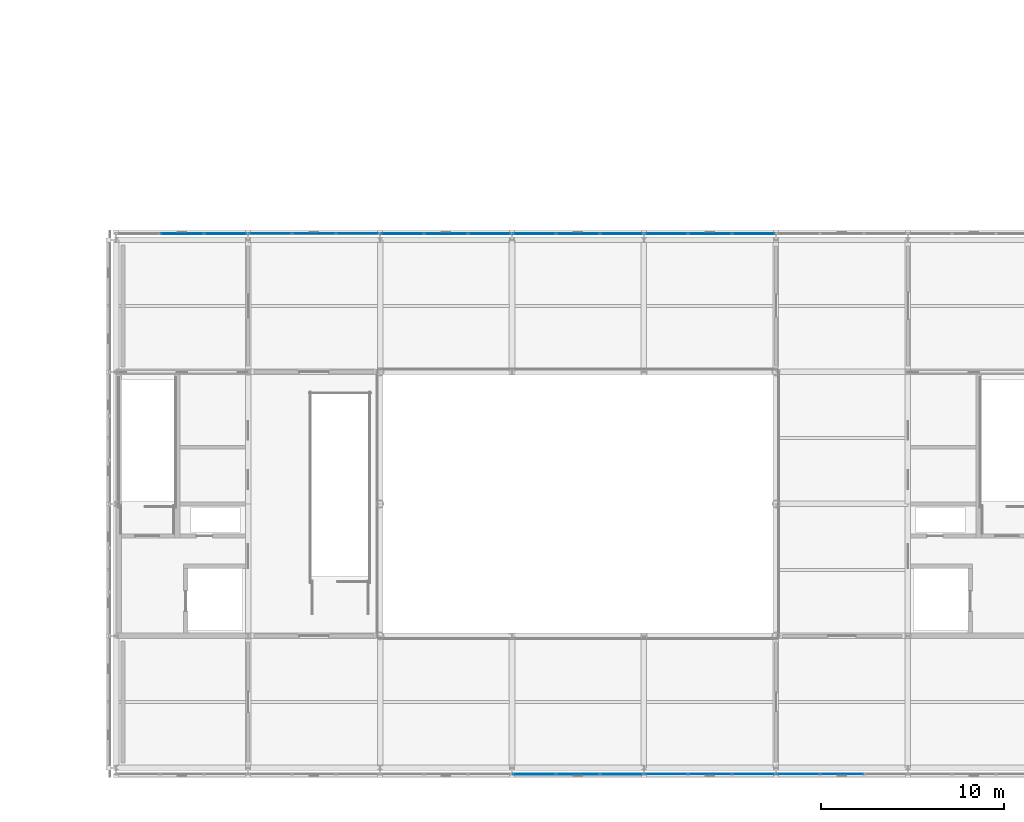
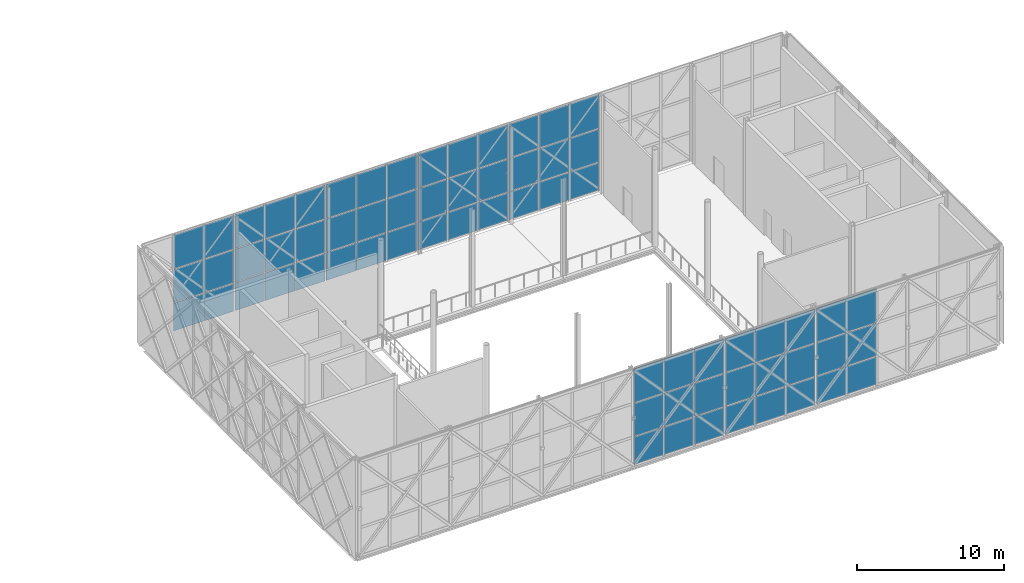
# One storey, part 54 of 76: 66 plates, 8 elements without a shape of their own.
"""IFC4 building model written with IfcOpenShell, lengths in metres."""

import ifcopenshell
import ifcopenshell.guid

model = None  # the IFC model being written
_history = None  # IfcOwnerHistory: only IFC2X3 demands one
_inside = {}  # id of a spatial element -> (the spatial element, [elements in it])
_under = {}  # id of a project, library or spatial element -> (it, [spatial elements below it])
_declared = {}  # id of a project -> (the project, [libraries it declares])
_typed = {}  # id of a type object -> (the type object, [elements of that type])
_made_of = {}  # id of a material, layer set ... -> (it, [elements and type objects made of it])


def new_model(schema):
    """Start an empty IFC model of exactly this schema.

    Asked for "IFC4X3", IfcOpenShell would pick the latest addendum, in which some entities
    have other attributes; the version numbers below select the first issue.
    IFC2X3 requires an IfcOwnerHistory on every rooted entity: one is made here for all.
    """
    global model, _history
    if schema == "IFC4X3":
        model = ifcopenshell.file(schema_version=(4, 3, 0, 0))
    else:
        model = ifcopenshell.file(schema=schema)
    _inside.clear()
    _under.clear()
    _declared.clear()
    _typed.clear()
    _made_of.clear()
    _history = None
    if model.schema == "IFC2X3":
        org = make("IfcOrganization", Name="unknown")
        user = make(
            "IfcPersonAndOrganization",
            ThePerson=make("IfcPerson", FamilyName="unknown"),
            TheOrganization=org,
        )
        app = make(
            "IfcApplication",
            ApplicationDeveloper=org,
            Version="unknown",
            ApplicationFullName="unknown",
            ApplicationIdentifier="unknown",
        )
        _history = make(
            "IfcOwnerHistory",
            OwningUser=user,
            OwningApplication=app,
            ChangeAction="ADDED",
            CreationDate=0,
        )
    return model


def make(cls, **values):
    """One entity of the class cls with the attributes given. An attribute that is None is left unset."""
    return model.create_entity(
        cls, **{name: value for name, value in values.items() if value is not None}
    )


def rooted(cls, **values):
    """An entity with a GlobalId (a new one), such as an element, a storey or a relation."""
    return make(cls, GlobalId=ifcopenshell.guid.new(), OwnerHistory=_history, **values)


def si_unit(unit_type, name, prefix=None):
    """IfcSIUnit, for example si_unit("LENGTHUNIT", "METRE", prefix="MILLI")."""
    return make("IfcSIUnit", UnitType=unit_type, Prefix=prefix, Name=name)


def assignment(units):
    """IfcUnitAssignment: the units of a project."""
    return None if units is None else make("IfcUnitAssignment", Units=units)


def point(xyz):
    """IfcCartesianPoint."""
    return None if xyz is None else make("IfcCartesianPoint", Coordinates=xyz)


def direction(xyz):
    """IfcDirection."""
    return None if xyz is None else make("IfcDirection", DirectionRatios=xyz)


def frame(location, z_axis=None, x_axis=None):
    """IfcAxis2Placement3D, a coordinate frame: its origin and axes. An axis left out is left unset."""
    return make(
        "IfcAxis2Placement3D",
        Location=point(location),
        Axis=direction(z_axis),
        RefDirection=direction(x_axis),
    )


def frame_2d(location, x_axis=None):
    """IfcAxis2Placement2D, a coordinate frame in the plane: its origin and x axis."""
    return make(
        "IfcAxis2Placement2D", Location=point(location), RefDirection=direction(x_axis)
    )


def origin():
    """The frame at (0, 0, 0) with its axes left unset."""
    return frame((0.0, 0.0, 0.0))


def origin_2d():
    """The frame at (0, 0) in the plane with its x axis left unset."""
    return frame_2d((0.0, 0.0))


def place(relative_to, where):
    """IfcLocalPlacement: puts the frame where relative to a parent placement (None: the world)."""
    return make(
        "IfcLocalPlacement", PlacementRelTo=relative_to, RelativePlacement=where
    )


def context(
    kind, dimensions, precision=None, world=None, true_north=None, identifier=None
):
    """IfcGeometricRepresentationContext, for example the 3D "Model" context."""
    return make(
        "IfcGeometricRepresentationContext",
        ContextIdentifier=identifier,
        ContextType=kind,
        CoordinateSpaceDimension=dimensions,
        Precision=precision,
        WorldCoordinateSystem=world,
        TrueNorth=true_north,
    )


def subcontext(parent, identifier, kind, view, scale=None):
    """IfcGeometricRepresentationSubContext, for example "Body" below "Model"."""
    return make(
        "IfcGeometricRepresentationSubContext",
        ContextIdentifier=identifier,
        ContextType=kind,
        ParentContext=parent,
        TargetScale=scale,
        TargetView=view,
    )


def project(units=None, contexts=None):
    """IfcProject with its units and contexts."""
    return rooted(
        "IfcProject",
        Name="project",
        RepresentationContexts=contexts,
        UnitsInContext=assignment(units),
    )


def spatial(cls, under=None, at=None, **own):
    """A site, building, storey or space (cls), placed at a placement, below another one or the project."""
    s = rooted(cls, ObjectPlacement=at, **own)
    if under is not None:
        _under.setdefault(under.id(), (under, []))[1].append(s)
    return s


def profile(cls, at=None, kind="AREA", **sizes):
    """A parametric profile (cls). Its sizes go by their IFC names, for example OverallWidth=200.0."""
    return make(cls, ProfileType=kind, Position=at, **sizes)


def rectangle(**sizes):
    """IfcRectangleProfileDef."""
    return profile("IfcRectangleProfileDef", **sizes)


def extrude(swept, where, along, depth):
    """IfcExtrudedAreaSolid: the profile swept, set in the frame where, extruded along a direction by depth."""
    return make(
        "IfcExtrudedAreaSolid",
        SweptArea=swept,
        Position=where,
        ExtrudedDirection=direction(along),
        Depth=depth,
    )


def shape(context_of_items, identifier, shape_type, items):
    """IfcShapeRepresentation: the items that make up one representation, for example the "Body"."""
    return make(
        "IfcShapeRepresentation",
        ContextOfItems=context_of_items,
        RepresentationIdentifier=identifier,
        RepresentationType=shape_type,
        Items=items,
    )


def material(Name=None, Category=None):
    """IfcMaterial."""
    return make("IfcMaterial", Name=Name, Category=Category)


def layer(
    of_material, thickness, ventilated=None, Name=None, Category=None, Priority=None
):
    """IfcMaterialLayer: one layer of a wall or slab, of a material (None: an air gap)."""
    return make(
        "IfcMaterialLayer",
        Material=of_material,
        LayerThickness=thickness,
        IsVentilated=ventilated,
        Name=Name,
        Category=Category,
        Priority=Priority,
    )


def layer_set(layers, Name=None):
    """IfcMaterialLayerSet."""
    return make("IfcMaterialLayerSet", MaterialLayers=layers, LayerSetName=Name)


def made_of(thing, what):
    """Note that an element or type object is made of a material, layer set ...; save() writes the relation."""
    if what is not None:
        _made_of.setdefault(what.id(), (what, []))[1].append(thing)
    return thing


def type_object(cls, material=None, **own):
    """A type object (cls), such as IfcWallType, which elements share."""
    return made_of(rooted(cls, **own), material)


def element(
    cls,
    number,
    at=None,
    inside=None,
    cuts=None,
    type_object=None,
    material=None,
    context=None,
    identifier="Body",
    shape_type=None,
    held_by="IfcProductDefinitionShape",
    body=None,
    shapes=None,
    **own,
):
    """One element of the class cls, such as IfcWall. Its Tag is "e" and its number.

    at: its placement. inside: the storey or other place that contains it. cuts: it is an
    opening in that element (IfcRelVoidsElement). A single representation is given by context,
    identifier, shape_type and body (its items); several are given by shapes. held_by: the class
    of the entity that holds the representations. save() writes the other relations.
    """
    e = rooted(cls, Tag="e%d" % number, ObjectPlacement=at, **own)
    if body is not None:
        shapes = [shape(context, identifier, shape_type, body)]
    if shapes is not None:
        e.Representation = make(held_by, Representations=shapes)
    if inside is not None:
        _inside.setdefault(inside.id(), (inside, []))[1].append(e)
    if cuts is not None:
        rooted(
            "IfcRelVoidsElement", RelatingBuildingElement=cuts, RelatedOpeningElement=e
        )
    if type_object is not None:
        _typed.setdefault(type_object.id(), (type_object, []))[1].append(e)
    return made_of(e, material)


def aggregate(whole, parts):
    """IfcRelAggregates: a whole, such as a stair, and the parts it consists of."""
    return rooted("IfcRelAggregates", RelatingObject=whole, RelatedObjects=parts)


def save(model, path):
    """Write the relations noted so far, then the file.

    IfcRelAggregates (storeys below a building ...), IfcRelContainedInSpatialStructure (elements
    in a storey), IfcRelDefinesByType, IfcRelAssociatesMaterial and IfcRelDeclares: one each for
    every whole, place, type object, material and project.
    """
    for whole, parts in _under.values():
        aggregate(whole, parts)
    for where, things in _inside.values():
        rooted(
            "IfcRelContainedInSpatialStructure",
            RelatedElements=things,
            RelatingStructure=where,
        )
    for kind, things in _typed.values():
        rooted("IfcRelDefinesByType", RelatedObjects=things, RelatingType=kind)
    for what, things in _made_of.values():
        rooted("IfcRelAssociatesMaterial", RelatedObjects=things, RelatingMaterial=what)
    for by, libraries in _declared.values():
        rooted("IfcRelDeclares", RelatingContext=by, RelatedDefinitions=libraries)
    model.write(path)


model = new_model("IFC4")

# Units and contexts
model_context = context("Model", 3, precision=1e-05, world=origin(), true_north=direction((0.0, 1.0)))
body_context = subcontext(model_context, "Body", "Model", "MODEL_VIEW")
ifc_project = project(units=[si_unit("LENGTHUNIT", "METRE"), si_unit("AREAUNIT", "SQUARE_METRE"), si_unit("VOLUMEUNIT", "CUBIC_METRE"), si_unit("PLANEANGLEUNIT", "RADIAN"), si_unit("MASSUNIT", "GRAM", prefix="KILO")], contexts=[model_context])

# Site, building, storey
site_placement = place(None, origin())
site = spatial("IfcSite", under=ifc_project, at=site_placement, CompositionType="ELEMENT")
building_placement = place(site_placement, origin())
building = spatial("IfcBuilding", under=site, at=building_placement, Name="Zlatovets Crest Museum", CompositionType="ELEMENT")
storey_placement = place(building_placement, frame((0.0, 0.0, 17.10009765625)))
storey = spatial("IfcBuildingStorey", under=building, at=storey_placement, Name="L04", CompositionType="ELEMENT", Elevation=17.10009765625)

# Curtain wall, plates
ifc_material_1 = material(Name="Bronze-anodised aluminium and low-E triple glass", Category="aluminium")
curtain_wall_type_1 = type_object("IfcCurtainWallType", Name="CW_CW-V2-L04-M0", PredefinedType="NOTDEFINED", material=ifc_material_1)
curtain_wall_1_placement = place(storey_placement, origin())
curtain_wall_1 = element("IfcCurtainWall", 1, at=curtain_wall_1_placement, inside=storey, type_object=curtain_wall_type_1, Name="V2 L04 Secession Foyer Clear Curtain Wall", PredefinedType="NOTDEFINED")
ifc_material_2 = material(Name="Solar-control low-E laminated triple glass", Category="glass")
ifc_layer_1 = layer(ifc_material_2, 0.028076171875)
ifc_layer_set_1 = layer_set([ifc_layer_1], Name="Solar-control low-E laminated triple glass")
plate_type_1 = type_object("IfcPlateType", Name="CWPanel_CW-V2-L04-M0", PredefinedType="CURTAIN_PANEL", material=ifc_layer_set_1)
plate_1_placement = place(storey_placement, frame((87.614990234375, -0.340087890625, 0.059814453125), z_axis=(0.0, 0.0, 1.0), x_axis=(1.0, 0.0, 0.0)))
plate_1 = element("IfcPlate", 2, at=plate_1_placement, type_object=plate_type_1, Name="CW-V2-L04-M0 panel 1.1", PredefinedType="CURTAIN_PANEL", context=body_context, shape_type="SweptSolid", body=[
    extrude(rectangle(XDim=2.31005859375, YDim=0.028076171875, at=origin_2d()), origin(), (0.0, 0.0, 1.0), 2.31005859375),
])
plate_2_placement = place(storey_placement, frame((87.614990234375, -0.340087890625, 2.4296875), z_axis=(0.0, 0.0, 1.0), x_axis=(1.0, 0.0, 0.0)))
plate_2 = element("IfcPlate", 3, at=plate_2_placement, type_object=plate_type_1, Name="CW-V2-L04-M0 panel 1.2", PredefinedType="CURTAIN_PANEL", context=body_context, shape_type="SweptSolid", body=[
    extrude(rectangle(XDim=2.31005859375, YDim=0.028076171875, at=origin_2d()), origin(), (0.0, 0.0, 1.0), 2.739990234375),
])
plate_3_placement = place(storey_placement, frame((87.614990234375, -0.340087890625, 5.22998046875), z_axis=(0.0, 0.0, 1.0), x_axis=(1.0, 0.0, 0.0)))
plate_3 = element("IfcPlate", 4, at=plate_3_placement, type_object=plate_type_1, Name="CW-V2-L04-M0 panel 1.3", PredefinedType="CURTAIN_PANEL", context=body_context, shape_type="SweptSolid", body=[
    extrude(rectangle(XDim=2.31005859375, YDim=0.028076171875, at=origin_2d()), origin(), (0.0, 0.0, 1.0), 2.81005859375),
])
plate_4_placement = place(storey_placement, frame((90.0, -0.340087890625, 0.059814453125), z_axis=(0.0, 0.0, 1.0), x_axis=(1.0, 0.0, 0.0)))
plate_4 = element("IfcPlate", 5, at=plate_4_placement, type_object=plate_type_1, Name="CW-V2-L04-M0 panel 2.1", PredefinedType="CURTAIN_PANEL", context=body_context, shape_type="SweptSolid", body=[
    extrude(rectangle(XDim=2.340087890625, YDim=0.028076171875, at=origin_2d()), origin(), (0.0, 0.0, 1.0), 2.31005859375),
])
plate_5_placement = place(storey_placement, frame((90.0, -0.340087890625, 2.4296875), z_axis=(0.0, 0.0, 1.0), x_axis=(1.0, 0.0, 0.0)))
plate_5 = element("IfcPlate", 6, at=plate_5_placement, type_object=plate_type_1, Name="CW-V2-L04-M0 panel 2.2", PredefinedType="CURTAIN_PANEL", context=body_context, shape_type="SweptSolid", body=[
    extrude(rectangle(XDim=2.340087890625, YDim=0.028076171875, at=origin_2d()), origin(), (0.0, 0.0, 1.0), 2.739990234375),
])
plate_6_placement = place(storey_placement, frame((90.0, -0.340087890625, 5.22998046875), z_axis=(0.0, 0.0, 1.0), x_axis=(1.0, 0.0, 0.0)))
plate_6 = element("IfcPlate", 7, at=plate_6_placement, type_object=plate_type_1, Name="CW-V2-L04-M0 panel 2.3", PredefinedType="CURTAIN_PANEL", context=body_context, shape_type="SweptSolid", body=[
    extrude(rectangle(XDim=2.340087890625, YDim=0.028076171875, at=origin_2d()), origin(), (0.0, 0.0, 1.0), 2.81005859375),
])
plate_7_placement = place(storey_placement, frame((92.385009765625, -0.340087890625, 0.059814453125), z_axis=(0.0, 0.0, 1.0), x_axis=(1.0, 0.0, 0.0)))
plate_7 = element("IfcPlate", 8, at=plate_7_placement, type_object=plate_type_1, Name="CW-V2-L04-M0 panel 3.1", PredefinedType="CURTAIN_PANEL", context=body_context, shape_type="SweptSolid", body=[
    extrude(rectangle(XDim=2.31005859375, YDim=0.028076171875, at=origin_2d()), origin(), (0.0, 0.0, 1.0), 2.31005859375),
])
plate_8_placement = place(storey_placement, frame((92.385009765625, -0.340087890625, 2.4296875), z_axis=(0.0, 0.0, 1.0), x_axis=(1.0, 0.0, 0.0)))
plate_8 = element("IfcPlate", 9, at=plate_8_placement, type_object=plate_type_1, Name="CW-V2-L04-M0 panel 3.2", PredefinedType="CURTAIN_PANEL", context=body_context, shape_type="SweptSolid", body=[
    extrude(rectangle(XDim=2.31005859375, YDim=0.028076171875, at=origin_2d()), origin(), (0.0, 0.0, 1.0), 2.739990234375),
])
plate_9_placement = place(storey_placement, frame((92.385009765625, -0.340087890625, 5.22998046875), z_axis=(0.0, 0.0, 1.0), x_axis=(1.0, 0.0, 0.0)))
plate_9 = element("IfcPlate", 10, at=plate_9_placement, type_object=plate_type_1, Name="CW-V2-L04-M0 panel 3.3", PredefinedType="CURTAIN_PANEL", context=body_context, shape_type="SweptSolid", body=[
    extrude(rectangle(XDim=2.31005859375, YDim=0.028076171875, at=origin_2d()), origin(), (0.0, 0.0, 1.0), 2.81005859375),
])
aggregate(curtain_wall_1, [plate_1, plate_2, plate_3, plate_4, plate_5, plate_6, plate_7, plate_8, plate_9])

curtain_wall_2_placement = place(storey_placement, origin())
curtain_wall_2 = element("IfcCurtainWall", 11, at=curtain_wall_2_placement, inside=storey, type_object=curtain_wall_type_1, Name="V2 L04 Secession Foyer Clear Curtain Wall", PredefinedType="NOTDEFINED")
plate_10_placement = place(storey_placement, frame((70.784912109375, 29.139892578125, 0.059814453125), z_axis=(0.0, 0.0, 1.0), x_axis=(-1.0, 0.0, 0.0)))
plate_10 = element("IfcPlate", 12, at=plate_10_placement, type_object=plate_type_1, Name="CW-V2-L04-M0 panel 1.1", PredefinedType="CURTAIN_PANEL", context=body_context, shape_type="SweptSolid", body=[
    extrude(rectangle(XDim=2.31005859375, YDim=0.028076171875, at=origin_2d()), origin(), (0.0, 0.0, 1.0), 2.31005859375),
])
plate_11_placement = place(storey_placement, frame((70.784912109375, 29.139892578125, 2.4296875), z_axis=(0.0, 0.0, 1.0), x_axis=(-1.0, 0.0, 0.0)))
plate_11 = element("IfcPlate", 13, at=plate_11_placement, type_object=plate_type_1, Name="CW-V2-L04-M0 panel 1.2", PredefinedType="CURTAIN_PANEL", context=body_context, shape_type="SweptSolid", body=[
    extrude(rectangle(XDim=2.31005859375, YDim=0.028076171875, at=origin_2d()), origin(), (0.0, 0.0, 1.0), 2.739990234375),
])
plate_12_placement = place(storey_placement, frame((70.784912109375, 29.139892578125, 5.22998046875), z_axis=(0.0, 0.0, 1.0), x_axis=(-1.0, 0.0, 0.0)))
plate_12 = element("IfcPlate", 14, at=plate_12_placement, type_object=plate_type_1, Name="CW-V2-L04-M0 panel 1.3", PredefinedType="CURTAIN_PANEL", context=body_context, shape_type="SweptSolid", body=[
    extrude(rectangle(XDim=2.31005859375, YDim=0.028076171875, at=origin_2d()), origin(), (0.0, 0.0, 1.0), 2.81005859375),
])
plate_13_placement = place(storey_placement, frame((68.39990234375, 29.139892578125, 0.059814453125), z_axis=(0.0, 0.0, 1.0), x_axis=(-1.0, 0.0, 0.0)))
plate_13 = element("IfcPlate", 15, at=plate_13_placement, type_object=plate_type_1, Name="CW-V2-L04-M0 panel 2.1", PredefinedType="CURTAIN_PANEL", context=body_context, shape_type="SweptSolid", body=[
    extrude(rectangle(XDim=2.340087890625, YDim=0.028076171875, at=origin_2d()), origin(), (0.0, 0.0, 1.0), 2.31005859375),
])
plate_14_placement = place(storey_placement, frame((68.39990234375, 29.139892578125, 2.4296875), z_axis=(0.0, 0.0, 1.0), x_axis=(-1.0, 0.0, 0.0)))
plate_14 = element("IfcPlate", 16, at=plate_14_placement, type_object=plate_type_1, Name="CW-V2-L04-M0 panel 2.2", PredefinedType="CURTAIN_PANEL", context=body_context, shape_type="SweptSolid", body=[
    extrude(rectangle(XDim=2.340087890625, YDim=0.028076171875, at=origin_2d()), origin(), (0.0, 0.0, 1.0), 2.739990234375),
])
plate_15_placement = place(storey_placement, frame((68.39990234375, 29.139892578125, 5.22998046875), z_axis=(0.0, 0.0, 1.0), x_axis=(-1.0, 0.0, 0.0)))
plate_15 = element("IfcPlate", 17, at=plate_15_placement, type_object=plate_type_1, Name="CW-V2-L04-M0 panel 2.3", PredefinedType="CURTAIN_PANEL", context=body_context, shape_type="SweptSolid", body=[
    extrude(rectangle(XDim=2.340087890625, YDim=0.028076171875, at=origin_2d()), origin(), (0.0, 0.0, 1.0), 2.81005859375),
])
plate_16_placement = place(storey_placement, frame((66.014892578125, 29.139892578125, 0.059814453125), z_axis=(0.0, 0.0, 1.0), x_axis=(-1.0, 0.0, 0.0)))
plate_16 = element("IfcPlate", 18, at=plate_16_placement, type_object=plate_type_1, Name="CW-V2-L04-M0 panel 3.1", PredefinedType="CURTAIN_PANEL", context=body_context, shape_type="SweptSolid", body=[
    extrude(rectangle(XDim=2.31005859375, YDim=0.028076171875, at=origin_2d()), origin(), (0.0, 0.0, 1.0), 2.31005859375),
])
plate_17_placement = place(storey_placement, frame((66.014892578125, 29.139892578125, 2.4296875), z_axis=(0.0, 0.0, 1.0), x_axis=(-1.0, 0.0, 0.0)))
plate_17 = element("IfcPlate", 19, at=plate_17_placement, type_object=plate_type_1, Name="CW-V2-L04-M0 panel 3.2", PredefinedType="CURTAIN_PANEL", context=body_context, shape_type="SweptSolid", body=[
    extrude(rectangle(XDim=2.31005859375, YDim=0.028076171875, at=origin_2d()), origin(), (0.0, 0.0, 1.0), 2.739990234375),
])
plate_18_placement = place(storey_placement, frame((66.014892578125, 29.139892578125, 5.22998046875), z_axis=(0.0, 0.0, 1.0), x_axis=(-1.0, 0.0, 0.0)))
plate_18 = element("IfcPlate", 20, at=plate_18_placement, type_object=plate_type_1, Name="CW-V2-L04-M0 panel 3.3", PredefinedType="CURTAIN_PANEL", context=body_context, shape_type="SweptSolid", body=[
    extrude(rectangle(XDim=2.31005859375, YDim=0.028076171875, at=origin_2d()), origin(), (0.0, 0.0, 1.0), 2.81005859375),
])
aggregate(curtain_wall_2, [plate_10, plate_11, plate_12, plate_13, plate_14, plate_15, plate_16, plate_17, plate_18])

curtain_wall_type_2 = type_object("IfcCurtainWallType", Name="CW_CW-V2-L04-M1", PredefinedType="NOTDEFINED", material=ifc_material_1)
curtain_wall_3_placement = place(storey_placement, origin())
curtain_wall_3 = element("IfcCurtainWall", 21, at=curtain_wall_3_placement, inside=storey, type_object=curtain_wall_type_2, Name="V2 L04 Secession Foyer Clear Curtain Wall", PredefinedType="NOTDEFINED")
ifc_layer_2 = layer(ifc_material_2, 0.031982421875)
ifc_layer_set_2 = layer_set([ifc_layer_2], Name="Solar-control low-E laminated triple glass")
plate_type_2 = type_object("IfcPlateType", Name="CWPanel_CW-V2-L04-M1", PredefinedType="CURTAIN_PANEL", material=ifc_layer_set_2)
plate_19_placement = place(storey_placement, frame((94.81494140625, -0.340087890625, 0.059814453125), z_axis=(0.0, 0.0, 1.0), x_axis=(1.0, 0.0, 0.0)))
plate_19 = element("IfcPlate", 22, at=plate_19_placement, type_object=plate_type_2, Name="CW-V2-L04-M1 panel 1.1", PredefinedType="CURTAIN_PANEL", context=body_context, shape_type="SweptSolid", body=[
    extrude(rectangle(XDim=2.31005859375, YDim=0.031982421875, at=origin_2d()), origin(), (0.0, 0.0, 1.0), 2.31005859375),
])
plate_20_placement = place(storey_placement, frame((94.81494140625, -0.340087890625, 2.4296875), z_axis=(0.0, 0.0, 1.0), x_axis=(1.0, 0.0, 0.0)))
plate_20 = element("IfcPlate", 23, at=plate_20_placement, type_object=plate_type_2, Name="CW-V2-L04-M1 panel 1.2", PredefinedType="CURTAIN_PANEL", context=body_context, shape_type="SweptSolid", body=[
    extrude(rectangle(XDim=2.31005859375, YDim=0.031982421875, at=origin_2d()), origin(), (0.0, 0.0, 1.0), 2.739990234375),
])
plate_21_placement = place(storey_placement, frame((94.81494140625, -0.340087890625, 5.22998046875), z_axis=(0.0, 0.0, 1.0), x_axis=(1.0, 0.0, 0.0)))
plate_21 = element("IfcPlate", 24, at=plate_21_placement, type_object=plate_type_2, Name="CW-V2-L04-M1 panel 1.3", PredefinedType="CURTAIN_PANEL", context=body_context, shape_type="SweptSolid", body=[
    extrude(rectangle(XDim=2.31005859375, YDim=0.031982421875, at=origin_2d()), origin(), (0.0, 0.0, 1.0), 2.81005859375),
])
plate_22_placement = place(storey_placement, frame((97.199951171875, -0.340087890625, 0.059814453125), z_axis=(0.0, 0.0, 1.0), x_axis=(1.0, 0.0, 0.0)))
plate_22 = element("IfcPlate", 25, at=plate_22_placement, type_object=plate_type_2, Name="CW-V2-L04-M1 panel 2.1", PredefinedType="CURTAIN_PANEL", context=body_context, shape_type="SweptSolid", body=[
    extrude(rectangle(XDim=2.340087890625, YDim=0.031982421875, at=origin_2d()), origin(), (0.0, 0.0, 1.0), 2.31005859375),
])
plate_23_placement = place(storey_placement, frame((97.199951171875, -0.340087890625, 2.4296875), z_axis=(0.0, 0.0, 1.0), x_axis=(1.0, 0.0, 0.0)))
plate_23 = element("IfcPlate", 26, at=plate_23_placement, type_object=plate_type_2, Name="CW-V2-L04-M1 panel 2.2", PredefinedType="CURTAIN_PANEL", context=body_context, shape_type="SweptSolid", body=[
    extrude(rectangle(XDim=2.340087890625, YDim=0.031982421875, at=origin_2d()), origin(), (0.0, 0.0, 1.0), 2.739990234375),
])
plate_24_placement = place(storey_placement, frame((97.199951171875, -0.340087890625, 5.22998046875), z_axis=(0.0, 0.0, 1.0), x_axis=(1.0, 0.0, 0.0)))
plate_24 = element("IfcPlate", 27, at=plate_24_placement, type_object=plate_type_2, Name="CW-V2-L04-M1 panel 2.3", PredefinedType="CURTAIN_PANEL", context=body_context, shape_type="SweptSolid", body=[
    extrude(rectangle(XDim=2.340087890625, YDim=0.031982421875, at=origin_2d()), origin(), (0.0, 0.0, 1.0), 2.81005859375),
])
aggregate(curtain_wall_3, [plate_19, plate_20, plate_21, plate_22, plate_23, plate_24])

curtain_wall_4_placement = place(storey_placement, origin())
curtain_wall_4 = element("IfcCurtainWall", 28, at=curtain_wall_4_placement, inside=storey, type_object=curtain_wall_type_2, Name="V2 L04 Secession Foyer Clear Curtain Wall", PredefinedType="NOTDEFINED")
plate_25_placement = place(storey_placement, frame((92.385009765625, 29.139892578125, 0.059814453125), z_axis=(0.0, 0.0, 1.0), x_axis=(-1.0, 0.0, 0.0)))
plate_25 = element("IfcPlate", 29, at=plate_25_placement, type_object=plate_type_2, Name="CW-V2-L04-M1 panel 1.1", PredefinedType="CURTAIN_PANEL", context=body_context, shape_type="SweptSolid", body=[
    extrude(rectangle(XDim=2.31005859375, YDim=0.031982421875, at=origin_2d()), origin(), (0.0, 0.0, 1.0), 2.31005859375),
])
plate_26_placement = place(storey_placement, frame((92.385009765625, 29.139892578125, 2.4296875), z_axis=(0.0, 0.0, 1.0), x_axis=(-1.0, 0.0, 0.0)))
plate_26 = element("IfcPlate", 30, at=plate_26_placement, type_object=plate_type_2, Name="CW-V2-L04-M1 panel 1.2", PredefinedType="CURTAIN_PANEL", context=body_context, shape_type="SweptSolid", body=[
    extrude(rectangle(XDim=2.31005859375, YDim=0.031982421875, at=origin_2d()), origin(), (0.0, 0.0, 1.0), 2.739990234375),
])
plate_27_placement = place(storey_placement, frame((92.385009765625, 29.139892578125, 5.22998046875), z_axis=(0.0, 0.0, 1.0), x_axis=(-1.0, 0.0, 0.0)))
plate_27 = element("IfcPlate", 31, at=plate_27_placement, type_object=plate_type_2, Name="CW-V2-L04-M1 panel 1.3", PredefinedType="CURTAIN_PANEL", context=body_context, shape_type="SweptSolid", body=[
    extrude(rectangle(XDim=2.31005859375, YDim=0.031982421875, at=origin_2d()), origin(), (0.0, 0.0, 1.0), 2.81005859375),
])
plate_28_placement = place(storey_placement, frame((90.0, 29.139892578125, 0.059814453125), z_axis=(0.0, 0.0, 1.0), x_axis=(-1.0, 0.0, 0.0)))
plate_28 = element("IfcPlate", 32, at=plate_28_placement, type_object=plate_type_2, Name="CW-V2-L04-M1 panel 2.1", PredefinedType="CURTAIN_PANEL", context=body_context, shape_type="SweptSolid", body=[
    extrude(rectangle(XDim=2.340087890625, YDim=0.031982421875, at=origin_2d()), origin(), (0.0, 0.0, 1.0), 2.31005859375),
])
plate_29_placement = place(storey_placement, frame((90.0, 29.139892578125, 2.4296875), z_axis=(0.0, 0.0, 1.0), x_axis=(-1.0, 0.0, 0.0)))
plate_29 = element("IfcPlate", 33, at=plate_29_placement, type_object=plate_type_2, Name="CW-V2-L04-M1 panel 2.2", PredefinedType="CURTAIN_PANEL", context=body_context, shape_type="SweptSolid", body=[
    extrude(rectangle(XDim=2.340087890625, YDim=0.031982421875, at=origin_2d()), origin(), (0.0, 0.0, 1.0), 2.739990234375),
])
plate_30_placement = place(storey_placement, frame((90.0, 29.139892578125, 5.22998046875), z_axis=(0.0, 0.0, 1.0), x_axis=(-1.0, 0.0, 0.0)))
plate_30 = element("IfcPlate", 34, at=plate_30_placement, type_object=plate_type_2, Name="CW-V2-L04-M1 panel 2.3", PredefinedType="CURTAIN_PANEL", context=body_context, shape_type="SweptSolid", body=[
    extrude(rectangle(XDim=2.340087890625, YDim=0.031982421875, at=origin_2d()), origin(), (0.0, 0.0, 1.0), 2.81005859375),
])
plate_31_placement = place(storey_placement, frame((87.614990234375, 29.139892578125, 0.059814453125), z_axis=(0.0, 0.0, 1.0), x_axis=(-1.0, 0.0, 0.0)))
plate_31 = element("IfcPlate", 35, at=plate_31_placement, type_object=plate_type_2, Name="CW-V2-L04-M1 panel 3.1", PredefinedType="CURTAIN_PANEL", context=body_context, shape_type="SweptSolid", body=[
    extrude(rectangle(XDim=2.31005859375, YDim=0.031982421875, at=origin_2d()), origin(), (0.0, 0.0, 1.0), 2.31005859375),
])
plate_32_placement = place(storey_placement, frame((87.614990234375, 29.139892578125, 2.4296875), z_axis=(0.0, 0.0, 1.0), x_axis=(-1.0, 0.0, 0.0)))
plate_32 = element("IfcPlate", 36, at=plate_32_placement, type_object=plate_type_2, Name="CW-V2-L04-M1 panel 3.2", PredefinedType="CURTAIN_PANEL", context=body_context, shape_type="SweptSolid", body=[
    extrude(rectangle(XDim=2.31005859375, YDim=0.031982421875, at=origin_2d()), origin(), (0.0, 0.0, 1.0), 2.739990234375),
])
plate_33_placement = place(storey_placement, frame((87.614990234375, 29.139892578125, 5.22998046875), z_axis=(0.0, 0.0, 1.0), x_axis=(-1.0, 0.0, 0.0)))
plate_33 = element("IfcPlate", 37, at=plate_33_placement, type_object=plate_type_2, Name="CW-V2-L04-M1 panel 3.3", PredefinedType="CURTAIN_PANEL", context=body_context, shape_type="SweptSolid", body=[
    extrude(rectangle(XDim=2.31005859375, YDim=0.031982421875, at=origin_2d()), origin(), (0.0, 0.0, 1.0), 2.81005859375),
])
aggregate(curtain_wall_4, [plate_25, plate_26, plate_27, plate_28, plate_29, plate_30, plate_31, plate_32, plate_33])

curtain_wall_5_placement = place(storey_placement, origin())
curtain_wall_5 = element("IfcCurtainWall", 38, at=curtain_wall_5_placement, inside=storey, type_object=curtain_wall_type_2, Name="V2 L04 Secession Foyer Clear Curtain Wall", PredefinedType="NOTDEFINED")
plate_34_placement = place(storey_placement, frame((63.5849609375, 29.139892578125, 0.059814453125), z_axis=(0.0, 0.0, 1.0), x_axis=(-1.0, 0.0, 0.0)))
plate_34 = element("IfcPlate", 39, at=plate_34_placement, type_object=plate_type_2, Name="CW-V2-L04-M1 panel 1.1", PredefinedType="CURTAIN_PANEL", context=body_context, shape_type="SweptSolid", body=[
    extrude(rectangle(XDim=2.31005859375, YDim=0.031982421875, at=origin_2d()), origin(), (0.0, 0.0, 1.0), 2.31005859375),
])
plate_35_placement = place(storey_placement, frame((63.5849609375, 29.139892578125, 2.4296875), z_axis=(0.0, 0.0, 1.0), x_axis=(-1.0, 0.0, 0.0)))
plate_35 = element("IfcPlate", 40, at=plate_35_placement, type_object=plate_type_2, Name="CW-V2-L04-M1 panel 1.2", PredefinedType="CURTAIN_PANEL", context=body_context, shape_type="SweptSolid", body=[
    extrude(rectangle(XDim=2.31005859375, YDim=0.031982421875, at=origin_2d()), origin(), (0.0, 0.0, 1.0), 2.739990234375),
])
plate_36_placement = place(storey_placement, frame((63.5849609375, 29.139892578125, 5.22998046875), z_axis=(0.0, 0.0, 1.0), x_axis=(-1.0, 0.0, 0.0)))
plate_36 = element("IfcPlate", 41, at=plate_36_placement, type_object=plate_type_2, Name="CW-V2-L04-M1 panel 1.3", PredefinedType="CURTAIN_PANEL", context=body_context, shape_type="SweptSolid", body=[
    extrude(rectangle(XDim=2.31005859375, YDim=0.031982421875, at=origin_2d()), origin(), (0.0, 0.0, 1.0), 2.81005859375),
])
plate_37_placement = place(storey_placement, frame((61.199951171875, 29.139892578125, 0.059814453125), z_axis=(0.0, 0.0, 1.0), x_axis=(-1.0, 0.0, 0.0)))
plate_37 = element("IfcPlate", 42, at=plate_37_placement, type_object=plate_type_2, Name="CW-V2-L04-M1 panel 2.1", PredefinedType="CURTAIN_PANEL", context=body_context, shape_type="SweptSolid", body=[
    extrude(rectangle(XDim=2.340087890625, YDim=0.031982421875, at=origin_2d()), origin(), (0.0, 0.0, 1.0), 2.31005859375),
])
plate_38_placement = place(storey_placement, frame((61.199951171875, 29.139892578125, 2.4296875), z_axis=(0.0, 0.0, 1.0), x_axis=(-1.0, 0.0, 0.0)))
plate_38 = element("IfcPlate", 43, at=plate_38_placement, type_object=plate_type_2, Name="CW-V2-L04-M1 panel 2.2", PredefinedType="CURTAIN_PANEL", context=body_context, shape_type="SweptSolid", body=[
    extrude(rectangle(XDim=2.340087890625, YDim=0.031982421875, at=origin_2d()), origin(), (0.0, 0.0, 1.0), 2.739990234375),
])
plate_39_placement = place(storey_placement, frame((61.199951171875, 29.139892578125, 5.22998046875), z_axis=(0.0, 0.0, 1.0), x_axis=(-1.0, 0.0, 0.0)))
plate_39 = element("IfcPlate", 44, at=plate_39_placement, type_object=plate_type_2, Name="CW-V2-L04-M1 panel 2.3", PredefinedType="CURTAIN_PANEL", context=body_context, shape_type="SweptSolid", body=[
    extrude(rectangle(XDim=2.340087890625, YDim=0.031982421875, at=origin_2d()), origin(), (0.0, 0.0, 1.0), 2.81005859375),
])
aggregate(curtain_wall_5, [plate_34, plate_35, plate_36, plate_37, plate_38, plate_39])

curtain_wall_type_3 = type_object("IfcCurtainWallType", Name="CW_CW-V2-L04-M2", PredefinedType="NOTDEFINED", material=ifc_material_1)
curtain_wall_6_placement = place(storey_placement, origin())
curtain_wall_6 = element("IfcCurtainWall", 45, at=curtain_wall_6_placement, inside=storey, type_object=curtain_wall_type_3, Name="V2 L04 Secession Foyer Clear Curtain Wall", PredefinedType="NOTDEFINED")
ifc_layer_3 = layer(ifc_material_2, 0.035888671875)
ifc_layer_set_3 = layer_set([ifc_layer_3], Name="Solar-control low-E laminated triple glass")
plate_type_3 = type_object("IfcPlateType", Name="CWPanel_CW-V2-L04-M2", PredefinedType="CURTAIN_PANEL", material=ifc_layer_set_3)
plate_40_placement = place(storey_placement, frame((85.18505859375, 29.139892578125, 0.059814453125), z_axis=(0.0, 0.0, 1.0), x_axis=(-1.0, 0.0, 0.0)))
plate_40 = element("IfcPlate", 46, at=plate_40_placement, type_object=plate_type_3, Name="CW-V2-L04-M2 panel 1.1", PredefinedType="CURTAIN_PANEL", context=body_context, shape_type="SweptSolid", body=[
    extrude(rectangle(XDim=2.31005859375, YDim=0.035888671875, at=origin_2d()), origin(), (0.0, 0.0, 1.0), 2.31005859375),
])
plate_41_placement = place(storey_placement, frame((85.18505859375, 29.139892578125, 2.4296875), z_axis=(0.0, 0.0, 1.0), x_axis=(-1.0, 0.0, 0.0)))
plate_41 = element("IfcPlate", 47, at=plate_41_placement, type_object=plate_type_3, Name="CW-V2-L04-M2 panel 1.2", PredefinedType="CURTAIN_PANEL", context=body_context, shape_type="SweptSolid", body=[
    extrude(rectangle(XDim=2.31005859375, YDim=0.035888671875, at=origin_2d()), origin(), (0.0, 0.0, 1.0), 2.739990234375),
])
plate_42_placement = place(storey_placement, frame((85.18505859375, 29.139892578125, 5.22998046875), z_axis=(0.0, 0.0, 1.0), x_axis=(-1.0, 0.0, 0.0)))
plate_42 = element("IfcPlate", 48, at=plate_42_placement, type_object=plate_type_3, Name="CW-V2-L04-M2 panel 1.3", PredefinedType="CURTAIN_PANEL", context=body_context, shape_type="SweptSolid", body=[
    extrude(rectangle(XDim=2.31005859375, YDim=0.035888671875, at=origin_2d()), origin(), (0.0, 0.0, 1.0), 2.81005859375),
])
plate_43_placement = place(storey_placement, frame((82.800048828125, 29.139892578125, 0.059814453125), z_axis=(0.0, 0.0, 1.0), x_axis=(-1.0, 0.0, 0.0)))
plate_43 = element("IfcPlate", 49, at=plate_43_placement, type_object=plate_type_3, Name="CW-V2-L04-M2 panel 2.1", PredefinedType="CURTAIN_PANEL", context=body_context, shape_type="SweptSolid", body=[
    extrude(rectangle(XDim=2.340087890625, YDim=0.035888671875, at=origin_2d()), origin(), (0.0, 0.0, 1.0), 2.31005859375),
])
plate_44_placement = place(storey_placement, frame((82.800048828125, 29.139892578125, 2.4296875), z_axis=(0.0, 0.0, 1.0), x_axis=(-1.0, 0.0, 0.0)))
plate_44 = element("IfcPlate", 50, at=plate_44_placement, type_object=plate_type_3, Name="CW-V2-L04-M2 panel 2.2", PredefinedType="CURTAIN_PANEL", context=body_context, shape_type="SweptSolid", body=[
    extrude(rectangle(XDim=2.340087890625, YDim=0.035888671875, at=origin_2d()), origin(), (0.0, 0.0, 1.0), 2.739990234375),
])
plate_45_placement = place(storey_placement, frame((82.800048828125, 29.139892578125, 5.22998046875), z_axis=(0.0, 0.0, 1.0), x_axis=(-1.0, 0.0, 0.0)))
plate_45 = element("IfcPlate", 51, at=plate_45_placement, type_object=plate_type_3, Name="CW-V2-L04-M2 panel 2.3", PredefinedType="CURTAIN_PANEL", context=body_context, shape_type="SweptSolid", body=[
    extrude(rectangle(XDim=2.340087890625, YDim=0.035888671875, at=origin_2d()), origin(), (0.0, 0.0, 1.0), 2.81005859375),
])
plate_46_placement = place(storey_placement, frame((80.4150390625, 29.139892578125, 0.059814453125), z_axis=(0.0, 0.0, 1.0), x_axis=(-1.0, 0.0, 0.0)))
plate_46 = element("IfcPlate", 52, at=plate_46_placement, type_object=plate_type_3, Name="CW-V2-L04-M2 panel 3.1", PredefinedType="CURTAIN_PANEL", context=body_context, shape_type="SweptSolid", body=[
    extrude(rectangle(XDim=2.31005859375, YDim=0.035888671875, at=origin_2d()), origin(), (0.0, 0.0, 1.0), 2.31005859375),
])
plate_47_placement = place(storey_placement, frame((80.4150390625, 29.139892578125, 2.4296875), z_axis=(0.0, 0.0, 1.0), x_axis=(-1.0, 0.0, 0.0)))
plate_47 = element("IfcPlate", 53, at=plate_47_placement, type_object=plate_type_3, Name="CW-V2-L04-M2 panel 3.2", PredefinedType="CURTAIN_PANEL", context=body_context, shape_type="SweptSolid", body=[
    extrude(rectangle(XDim=2.31005859375, YDim=0.035888671875, at=origin_2d()), origin(), (0.0, 0.0, 1.0), 2.739990234375),
])
plate_48_placement = place(storey_placement, frame((80.4150390625, 29.139892578125, 5.22998046875), z_axis=(0.0, 0.0, 1.0), x_axis=(-1.0, 0.0, 0.0)))
plate_48 = element("IfcPlate", 54, at=plate_48_placement, type_object=plate_type_3, Name="CW-V2-L04-M2 panel 3.3", PredefinedType="CURTAIN_PANEL", context=body_context, shape_type="SweptSolid", body=[
    extrude(rectangle(XDim=2.31005859375, YDim=0.035888671875, at=origin_2d()), origin(), (0.0, 0.0, 1.0), 2.81005859375),
])
aggregate(curtain_wall_6, [plate_40, plate_41, plate_42, plate_43, plate_44, plate_45, plate_46, plate_47, plate_48])

curtain_wall_type_4 = type_object("IfcCurtainWallType", Name="CW_CW-V2-L04-M3", PredefinedType="NOTDEFINED", material=ifc_material_1)
curtain_wall_7_placement = place(storey_placement, origin())
curtain_wall_7 = element("IfcCurtainWall", 55, at=curtain_wall_7_placement, inside=storey, type_object=curtain_wall_type_4, Name="V2 L04 Secession Foyer Clear Curtain Wall", PredefinedType="NOTDEFINED")
ifc_layer_4 = layer(ifc_material_2, 0.0400390625)
ifc_layer_set_4 = layer_set([ifc_layer_4], Name="Solar-control low-E laminated triple glass")
plate_type_4 = type_object("IfcPlateType", Name="CWPanel_CW-V2-L04-M3", PredefinedType="CURTAIN_PANEL", material=ifc_layer_set_4)
plate_49_placement = place(storey_placement, frame((80.4150390625, -0.340087890625, 0.059814453125), z_axis=(0.0, 0.0, 1.0), x_axis=(1.0, 0.0, 0.0)))
plate_49 = element("IfcPlate", 56, at=plate_49_placement, type_object=plate_type_4, Name="CW-V2-L04-M3 panel 1.1", PredefinedType="CURTAIN_PANEL", context=body_context, shape_type="SweptSolid", body=[
    extrude(rectangle(XDim=2.31005859375, YDim=0.0400390625, at=origin_2d()), origin(), (0.0, 0.0, 1.0), 2.31005859375),
])
plate_50_placement = place(storey_placement, frame((80.4150390625, -0.340087890625, 2.4296875), z_axis=(0.0, 0.0, 1.0), x_axis=(1.0, 0.0, 0.0)))
plate_50 = element("IfcPlate", 57, at=plate_50_placement, type_object=plate_type_4, Name="CW-V2-L04-M3 panel 1.2", PredefinedType="CURTAIN_PANEL", context=body_context, shape_type="SweptSolid", body=[
    extrude(rectangle(XDim=2.31005859375, YDim=0.0400390625, at=origin_2d()), origin(), (0.0, 0.0, 1.0), 2.739990234375),
])
plate_51_placement = place(storey_placement, frame((80.4150390625, -0.340087890625, 5.22998046875), z_axis=(0.0, 0.0, 1.0), x_axis=(1.0, 0.0, 0.0)))
plate_51 = element("IfcPlate", 58, at=plate_51_placement, type_object=plate_type_4, Name="CW-V2-L04-M3 panel 1.3", PredefinedType="CURTAIN_PANEL", context=body_context, shape_type="SweptSolid", body=[
    extrude(rectangle(XDim=2.31005859375, YDim=0.0400390625, at=origin_2d()), origin(), (0.0, 0.0, 1.0), 2.81005859375),
])
plate_52_placement = place(storey_placement, frame((82.800048828125, -0.340087890625, 0.059814453125), z_axis=(0.0, 0.0, 1.0), x_axis=(1.0, 0.0, 0.0)))
plate_52 = element("IfcPlate", 59, at=plate_52_placement, type_object=plate_type_4, Name="CW-V2-L04-M3 panel 2.1", PredefinedType="CURTAIN_PANEL", context=body_context, shape_type="SweptSolid", body=[
    extrude(rectangle(XDim=2.340087890625, YDim=0.0400390625, at=origin_2d()), origin(), (0.0, 0.0, 1.0), 2.31005859375),
])
plate_53_placement = place(storey_placement, frame((82.800048828125, -0.340087890625, 2.4296875), z_axis=(0.0, 0.0, 1.0), x_axis=(1.0, 0.0, 0.0)))
plate_53 = element("IfcPlate", 60, at=plate_53_placement, type_object=plate_type_4, Name="CW-V2-L04-M3 panel 2.2", PredefinedType="CURTAIN_PANEL", context=body_context, shape_type="SweptSolid", body=[
    extrude(rectangle(XDim=2.340087890625, YDim=0.0400390625, at=origin_2d()), origin(), (0.0, 0.0, 1.0), 2.739990234375),
])
plate_54_placement = place(storey_placement, frame((82.800048828125, -0.340087890625, 5.22998046875), z_axis=(0.0, 0.0, 1.0), x_axis=(1.0, 0.0, 0.0)))
plate_54 = element("IfcPlate", 61, at=plate_54_placement, type_object=plate_type_4, Name="CW-V2-L04-M3 panel 2.3", PredefinedType="CURTAIN_PANEL", context=body_context, shape_type="SweptSolid", body=[
    extrude(rectangle(XDim=2.340087890625, YDim=0.0400390625, at=origin_2d()), origin(), (0.0, 0.0, 1.0), 2.81005859375),
])
plate_55_placement = place(storey_placement, frame((85.18505859375, -0.340087890625, 0.059814453125), z_axis=(0.0, 0.0, 1.0), x_axis=(1.0, 0.0, 0.0)))
plate_55 = element("IfcPlate", 62, at=plate_55_placement, type_object=plate_type_4, Name="CW-V2-L04-M3 panel 3.1", PredefinedType="CURTAIN_PANEL", context=body_context, shape_type="SweptSolid", body=[
    extrude(rectangle(XDim=2.31005859375, YDim=0.0400390625, at=origin_2d()), origin(), (0.0, 0.0, 1.0), 2.31005859375),
])
plate_56_placement = place(storey_placement, frame((85.18505859375, -0.340087890625, 2.4296875), z_axis=(0.0, 0.0, 1.0), x_axis=(1.0, 0.0, 0.0)))
plate_56 = element("IfcPlate", 63, at=plate_56_placement, type_object=plate_type_4, Name="CW-V2-L04-M3 panel 3.2", PredefinedType="CURTAIN_PANEL", context=body_context, shape_type="SweptSolid", body=[
    extrude(rectangle(XDim=2.31005859375, YDim=0.0400390625, at=origin_2d()), origin(), (0.0, 0.0, 1.0), 2.739990234375),
])
plate_57_placement = place(storey_placement, frame((85.18505859375, -0.340087890625, 5.22998046875), z_axis=(0.0, 0.0, 1.0), x_axis=(1.0, 0.0, 0.0)))
plate_57 = element("IfcPlate", 64, at=plate_57_placement, type_object=plate_type_4, Name="CW-V2-L04-M3 panel 3.3", PredefinedType="CURTAIN_PANEL", context=body_context, shape_type="SweptSolid", body=[
    extrude(rectangle(XDim=2.31005859375, YDim=0.0400390625, at=origin_2d()), origin(), (0.0, 0.0, 1.0), 2.81005859375),
])
aggregate(curtain_wall_7, [plate_49, plate_50, plate_51, plate_52, plate_53, plate_54, plate_55, plate_56, plate_57])

curtain_wall_8_placement = place(storey_placement, origin())
curtain_wall_8 = element("IfcCurtainWall", 65, at=curtain_wall_8_placement, inside=storey, type_object=curtain_wall_type_4, Name="V2 L04 Secession Foyer Clear Curtain Wall", PredefinedType="NOTDEFINED")
plate_58_placement = place(storey_placement, frame((77.985107421875, 29.139892578125, 0.059814453125), z_axis=(0.0, 0.0, 1.0), x_axis=(-1.0, 0.0, 0.0)))
plate_58 = element("IfcPlate", 66, at=plate_58_placement, type_object=plate_type_4, Name="CW-V2-L04-M3 panel 1.1", PredefinedType="CURTAIN_PANEL", context=body_context, shape_type="SweptSolid", body=[
    extrude(rectangle(XDim=2.31005859375, YDim=0.0400390625, at=origin_2d()), origin(), (0.0, 0.0, 1.0), 2.31005859375),
])
plate_59_placement = place(storey_placement, frame((77.985107421875, 29.139892578125, 2.4296875), z_axis=(0.0, 0.0, 1.0), x_axis=(-1.0, 0.0, 0.0)))
plate_59 = element("IfcPlate", 67, at=plate_59_placement, type_object=plate_type_4, Name="CW-V2-L04-M3 panel 1.2", PredefinedType="CURTAIN_PANEL", context=body_context, shape_type="SweptSolid", body=[
    extrude(rectangle(XDim=2.31005859375, YDim=0.0400390625, at=origin_2d()), origin(), (0.0, 0.0, 1.0), 2.739990234375),
])
plate_60_placement = place(storey_placement, frame((77.985107421875, 29.139892578125, 5.22998046875), z_axis=(0.0, 0.0, 1.0), x_axis=(-1.0, 0.0, 0.0)))
plate_60 = element("IfcPlate", 68, at=plate_60_placement, type_object=plate_type_4, Name="CW-V2-L04-M3 panel 1.3", PredefinedType="CURTAIN_PANEL", context=body_context, shape_type="SweptSolid", body=[
    extrude(rectangle(XDim=2.31005859375, YDim=0.0400390625, at=origin_2d()), origin(), (0.0, 0.0, 1.0), 2.81005859375),
])
plate_61_placement = place(storey_placement, frame((75.60009765625, 29.139892578125, 0.059814453125), z_axis=(0.0, 0.0, 1.0), x_axis=(-1.0, 0.0, 0.0)))
plate_61 = element("IfcPlate", 69, at=plate_61_placement, type_object=plate_type_4, Name="CW-V2-L04-M3 panel 2.1", PredefinedType="CURTAIN_PANEL", context=body_context, shape_type="SweptSolid", body=[
    extrude(rectangle(XDim=2.340087890625, YDim=0.0400390625, at=origin_2d()), origin(), (0.0, 0.0, 1.0), 2.31005859375),
])
plate_62_placement = place(storey_placement, frame((75.60009765625, 29.139892578125, 2.4296875), z_axis=(0.0, 0.0, 1.0), x_axis=(-1.0, 0.0, 0.0)))
plate_62 = element("IfcPlate", 70, at=plate_62_placement, type_object=plate_type_4, Name="CW-V2-L04-M3 panel 2.2", PredefinedType="CURTAIN_PANEL", context=body_context, shape_type="SweptSolid", body=[
    extrude(rectangle(XDim=2.340087890625, YDim=0.0400390625, at=origin_2d()), origin(), (0.0, 0.0, 1.0), 2.739990234375),
])
plate_63_placement = place(storey_placement, frame((75.60009765625, 29.139892578125, 5.22998046875), z_axis=(0.0, 0.0, 1.0), x_axis=(-1.0, 0.0, 0.0)))
plate_63 = element("IfcPlate", 71, at=plate_63_placement, type_object=plate_type_4, Name="CW-V2-L04-M3 panel 2.3", PredefinedType="CURTAIN_PANEL", context=body_context, shape_type="SweptSolid", body=[
    extrude(rectangle(XDim=2.340087890625, YDim=0.0400390625, at=origin_2d()), origin(), (0.0, 0.0, 1.0), 2.81005859375),
])
plate_64_placement = place(storey_placement, frame((73.215087890625, 29.139892578125, 0.059814453125), z_axis=(0.0, 0.0, 1.0), x_axis=(-1.0, 0.0, 0.0)))
plate_64 = element("IfcPlate", 72, at=plate_64_placement, type_object=plate_type_4, Name="CW-V2-L04-M3 panel 3.1", PredefinedType="CURTAIN_PANEL", context=body_context, shape_type="SweptSolid", body=[
    extrude(rectangle(XDim=2.31005859375, YDim=0.0400390625, at=origin_2d()), origin(), (0.0, 0.0, 1.0), 2.31005859375),
])
plate_65_placement = place(storey_placement, frame((73.215087890625, 29.139892578125, 2.4296875), z_axis=(0.0, 0.0, 1.0), x_axis=(-1.0, 0.0, 0.0)))
plate_65 = element("IfcPlate", 73, at=plate_65_placement, type_object=plate_type_4, Name="CW-V2-L04-M3 panel 3.2", PredefinedType="CURTAIN_PANEL", context=body_context, shape_type="SweptSolid", body=[
    extrude(rectangle(XDim=2.31005859375, YDim=0.0400390625, at=origin_2d()), origin(), (0.0, 0.0, 1.0), 2.739990234375),
])
plate_66_placement = place(storey_placement, frame((73.215087890625, 29.139892578125, 5.22998046875), z_axis=(0.0, 0.0, 1.0), x_axis=(-1.0, 0.0, 0.0)))
plate_66 = element("IfcPlate", 74, at=plate_66_placement, type_object=plate_type_4, Name="CW-V2-L04-M3 panel 3.3", PredefinedType="CURTAIN_PANEL", context=body_context, shape_type="SweptSolid", body=[
    extrude(rectangle(XDim=2.31005859375, YDim=0.0400390625, at=origin_2d()), origin(), (0.0, 0.0, 1.0), 2.81005859375),
])
aggregate(curtain_wall_8, [plate_58, plate_59, plate_60, plate_61, plate_62, plate_63, plate_64, plate_65, plate_66])

save(model, "model.ifc")
